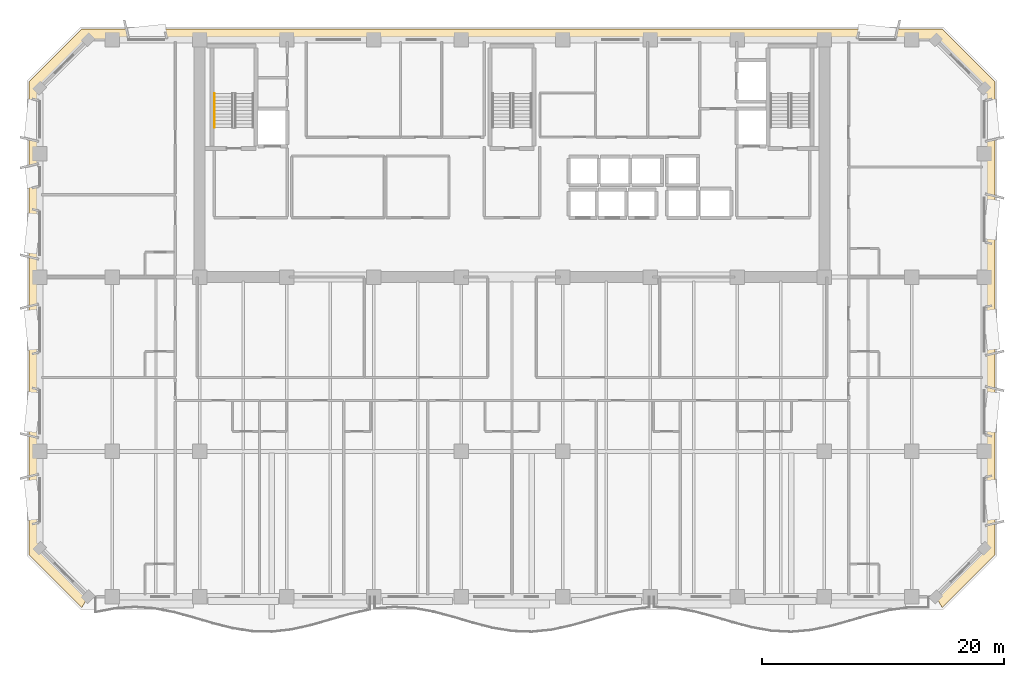
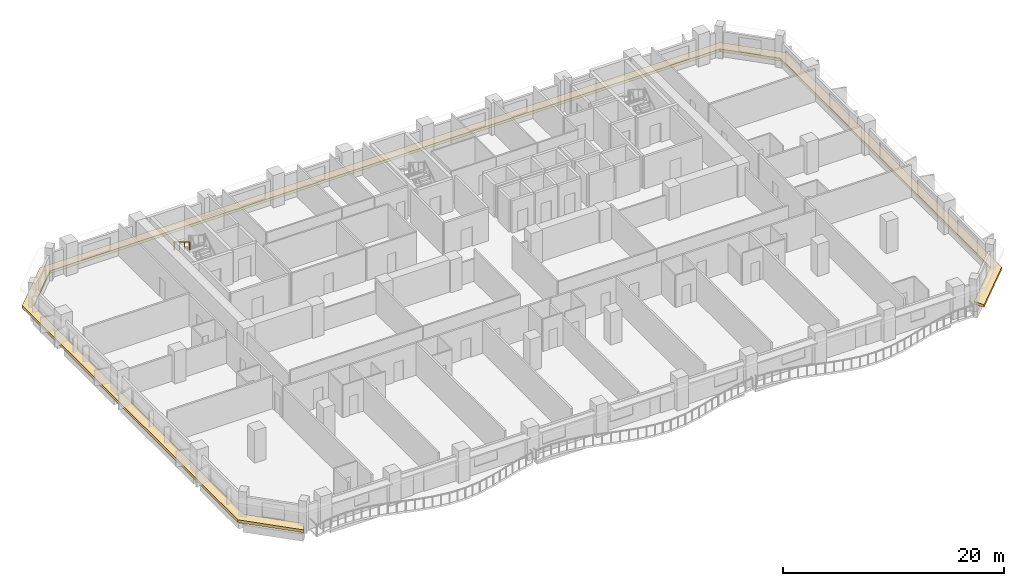
# One storey, part 11 of 14: 1 covering, 1 railing.
"""IFC4 building model written with IfcOpenShell, lengths in metres."""

from ifc_helpers import new_model, si_unit, direction, frame, origin, origin_2d, place, context, subcontext, project, spatial, polyline, rectangle, outline, extrude, material, layer, layer_set, type_object, element, save


model = new_model("IFC4")

# Units and contexts
model_context = context("Model", 3, precision=1e-05, world=origin(), true_north=direction((0.0, 1.0)))
body_context = subcontext(model_context, "Body", "Model", "MODEL_VIEW")
ifc_project = project(units=[si_unit("LENGTHUNIT", "METRE"), si_unit("AREAUNIT", "SQUARE_METRE"), si_unit("VOLUMEUNIT", "CUBIC_METRE"), si_unit("PLANEANGLEUNIT", "RADIAN"), si_unit("MASSUNIT", "GRAM", prefix="KILO")], contexts=[model_context])

# Site, building, storey
site_placement = place(None, origin())
site = spatial("IfcSite", under=ifc_project, at=site_placement, CompositionType="ELEMENT")
building_placement = place(site_placement, origin())
building = spatial("IfcBuilding", under=site, at=building_placement, Name="Kaelvorn Grand Hotel", CompositionType="ELEMENT")
storey_placement = place(building_placement, frame((0.0, 0.0, 169.550048828125)))
storey = spatial("IfcBuildingStorey", under=building, at=storey_placement, Name="L41", CompositionType="ELEMENT", Elevation=169.550048828125)

# Covering
ifc_material_1 = material(Name="Precast concrete C45/55", Category="concrete")
ifc_layer = layer(ifc_material_1, 0.219970703125)
ifc_layer_set = layer_set([ifc_layer], Name="Precast concrete C45/55")
covering_type = type_object("IfcCoveringType", Name="COV-BAND-STREAMLINE-SILL", PredefinedType="CLADDING", material=ifc_layer_set)
covering_placement = place(storey_placement, frame((0.0, 0.0, 0.449951171875)))
element("IfcCovering", 1, at=covering_placement, inside=storey, type_object=covering_type, Name="L41 Streamline Moderne Wraparound Horizontal Sill Spandrel Band", PredefinedType="CLADDING", context=body_context, shape_type="SweptSolid", body=[
    extrude(outline(polyline([(77.515380859375, 2.1201171875), (81.8798828125, 6.484619140625), (81.8798828125, 45.515380859375), (77.515380859375, 49.8798828125), (6.484619140625, 49.8798828125), (2.1201171875, 45.515380859375), (2.1201171875, 6.484619140625), (6.484619140625, 2.1201171875), (7.017578125, 3.030029296875), (3.030029296875, 7.017578125), (3.030029296875, 44.982421875), (7.017578125, 48.969970703125), (76.982421875, 48.969970703125), (80.969970703125, 44.982421875), (80.969970703125, 7.017578125), (76.982421875, 3.030029296875), (77.515380859375, 2.1201171875)])), origin(), (0.0, 0.0, 1.0), 0.300048828125),
])

# Railing
ifc_material_2 = material(Name="Stainless Steel", Category="steel")
railing_type = type_object("IfcRailingType", Name="RL-HANDRAIL-900", PredefinedType="HANDRAIL", material=ifc_material_2)
railing_placement = place(storey_placement, frame((17.449951171875, 44.56005859375, 2.07275390625)))
element("IfcRailing", 2, at=railing_placement, inside=storey, type_object=railing_type, Name="L41 ST1 stair handrail 2", PredefinedType="HANDRAIL", context=body_context, shape_type="SweptSolid", body=[
    extrude(rectangle(XDim=0.048095703125, YDim=0.048095703125, at=origin_2d()), frame((0.0, 0.0, 0.8759765625), z_axis=(0.0, -0.851089632645, 0.525020415988), x_axis=(1.0, 0.0, 0.0)), (0.0, 0.0, 1.0), 3.2900390625),
    extrude(rectangle(XDim=0.0419921875, YDim=0.0419921875, at=origin_2d()), origin(), (0.0, 0.0, 1.0), 0.851806640625),
    extrude(rectangle(XDim=0.0419921875, YDim=0.0419921875, at=origin_2d()), frame((0.0, -0.933349609375, 0.57568359375)), (0.0, 0.0, 1.0), 0.851806640625),
    extrude(rectangle(XDim=0.0419921875, YDim=0.0419921875, at=origin_2d()), frame((0.0, -1.86669921875, 1.151611328125)), (0.0, 0.0, 1.0), 0.851806640625),
    extrude(rectangle(XDim=0.0419921875, YDim=0.0419921875, at=origin_2d()), frame((0.0, -2.800048828125, 1.727294921875)), (0.0, 0.0, 1.0), 0.851806640625),
])

save(model, "model.ifc")
